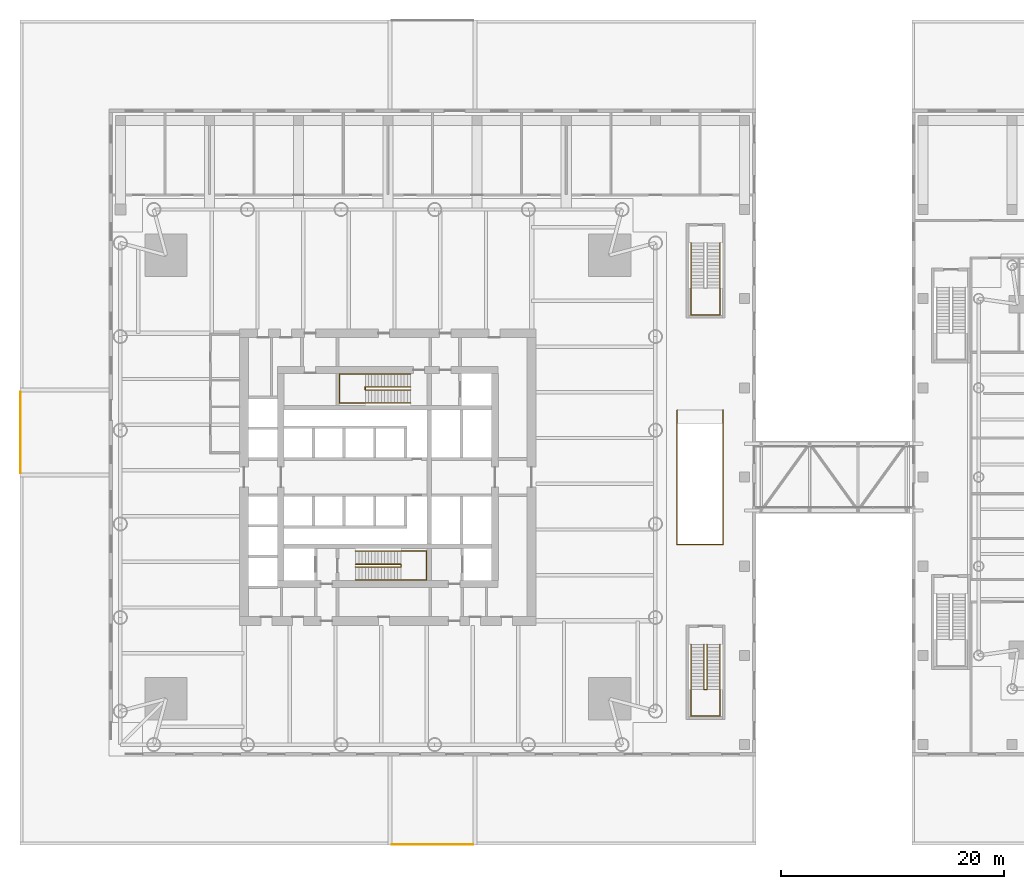
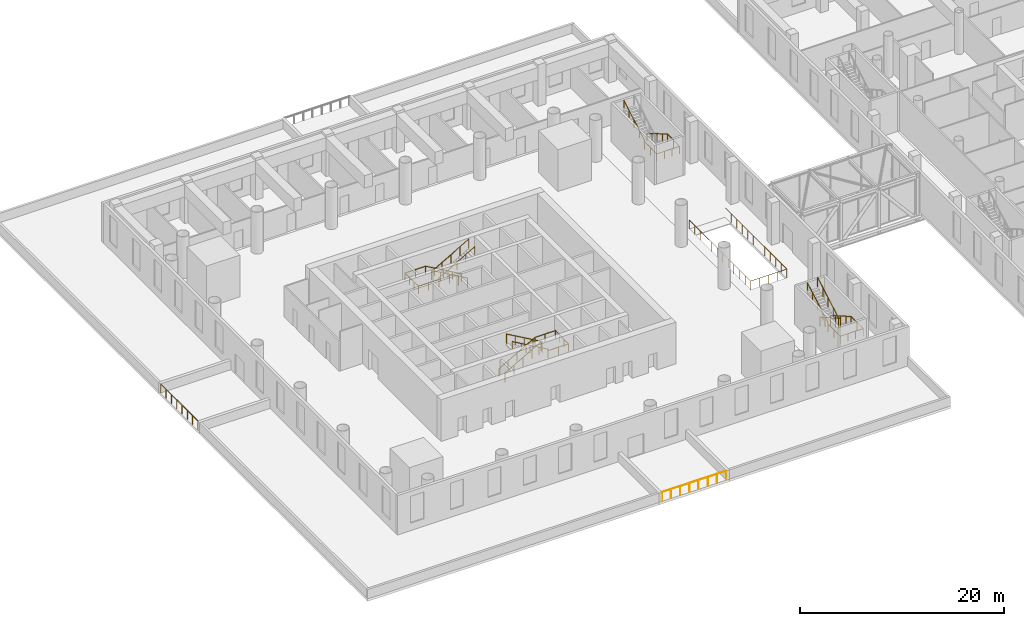
# One storey, part 21 of 23: 10 railings.
"""IFC4 building model written with IfcOpenShell, lengths in metres."""

from ifc_helpers import new_model, si_unit, direction, frame, origin, origin_2d, place, context, subcontext, project, spatial, circle, extrude, material, type_object, element, save


model = new_model("IFC4")

# Units and contexts
model_context = context("Model", 3, precision=1e-05, world=origin(), true_north=direction((0.0, 1.0)))
body_context = subcontext(model_context, "Body", "Model", "MODEL_VIEW")
ifc_project = project(units=[si_unit("LENGTHUNIT", "METRE"), si_unit("AREAUNIT", "SQUARE_METRE"), si_unit("VOLUMEUNIT", "CUBIC_METRE"), si_unit("PLANEANGLEUNIT", "RADIAN"), si_unit("MASSUNIT", "GRAM", prefix="KILO")], contexts=[model_context])

# Site, building, storey
site_placement = place(None, origin())
site = spatial("IfcSite", under=ifc_project, at=site_placement, CompositionType="ELEMENT")
building_placement = place(site_placement, origin())
building = spatial("IfcBuilding", under=site, at=building_placement, Name="Ostroluk Exchange", CompositionType="ELEMENT")
storey_placement = place(building_placement, frame((0.0, 0.0, 11.0)))
storey = spatial("IfcBuildingStorey", under=building, at=storey_placement, Name="L02", CompositionType="ELEMENT", Elevation=11.0)

# Railings
ifc_material_1 = material(Name="Laminated glass", Category="glass")
railing_type_1 = type_object("IfcRailingType", Name="Glass balustrade guard 1100", PredefinedType="BALUSTRADE", material=ifc_material_1)
railing_1_placement = place(storey_placement, frame((70.949951171875, 52.0, 0.0)))
element("IfcRailing", 1, at=railing_1_placement, inside=storey, type_object=railing_type_1, Name="Escalator ES3 opening guard", PredefinedType="BALUSTRADE", context=body_context, shape_type="SweptSolid", body=[
    extrude(circle(Radius=0.02392578125, at=origin_2d()), frame((0.0, 0.0, 1.076171875), z_axis=(0.0, -1.0, 0.0), x_axis=(1.0, 0.0, 0.0)), (0.0, 0.0, 1.0), 12.050048828125),
    extrude(circle(Radius=0.02392578125, at=origin_2d()), frame((0.0, -12.050048828125, 1.076171875), z_axis=(1.0, 0.0, 0.0), x_axis=(0.0, 1.0, 0.0)), (0.0, 0.0, 1.0), 4.10009765625),
    extrude(circle(Radius=0.02392578125, at=origin_2d()), frame((4.10009765625, -12.050048828125, 1.076171875), z_axis=(0.0, 1.0, 0.0), x_axis=(-1.0, 0.0, 0.0)), (0.0, 0.0, 1.0), 12.050048828125),
    extrude(circle(Radius=0.02099609375, at=origin_2d()), origin(), (0.0, 0.0, 1.0), 1.052001953125),
    extrude(circle(Radius=0.02099609375, at=origin_2d()), frame((0.0, -1.095458984375, 0.0)), (0.0, 0.0, 1.0), 1.052001953125),
    extrude(circle(Radius=0.02099609375, at=origin_2d()), frame((0.0, -2.19091796875, 0.0)), (0.0, 0.0, 1.0), 1.052001953125),
    extrude(circle(Radius=0.02099609375, at=origin_2d()), frame((0.0, -3.286376953125, 0.0)), (0.0, 0.0, 1.0), 1.052001953125),
    extrude(circle(Radius=0.02099609375, at=origin_2d()), frame((0.0, -4.3818359375, 0.0)), (0.0, 0.0, 1.0), 1.052001953125),
    extrude(circle(Radius=0.02099609375, at=origin_2d()), frame((0.0, -5.477294921875, 0.0)), (0.0, 0.0, 1.0), 1.052001953125),
    extrude(circle(Radius=0.02099609375, at=origin_2d()), frame((0.0, -6.57275390625, 0.0)), (0.0, 0.0, 1.0), 1.052001953125),
    extrude(circle(Radius=0.02099609375, at=origin_2d()), frame((0.0, -7.668212890625, 0.0)), (0.0, 0.0, 1.0), 1.052001953125),
    extrude(circle(Radius=0.02099609375, at=origin_2d()), frame((0.0, -8.763671875, 0.0)), (0.0, 0.0, 1.0), 1.052001953125),
    extrude(circle(Radius=0.02099609375, at=origin_2d()), frame((0.0, -9.859130859375, 0.0)), (0.0, 0.0, 1.0), 1.052001953125),
    extrude(circle(Radius=0.02099609375, at=origin_2d()), frame((0.0, -10.95458984375, 0.0)), (0.0, 0.0, 1.0), 1.052001953125),
    extrude(circle(Radius=0.02099609375, at=origin_2d()), frame((0.0, -12.050048828125, 0.0)), (0.0, 0.0, 1.0), 1.052001953125),
    extrude(circle(Radius=0.02099609375, at=origin_2d()), frame((1.02490234375, -12.050048828125, 0.0)), (0.0, 0.0, 1.0), 1.052001953125),
    extrude(circle(Radius=0.02099609375, at=origin_2d()), frame((2.050048828125, -12.050048828125, 0.0)), (0.0, 0.0, 1.0), 1.052001953125),
    extrude(circle(Radius=0.02099609375, at=origin_2d()), frame((3.0751953125, -12.050048828125, 0.0)), (0.0, 0.0, 1.0), 1.052001953125),
    extrude(circle(Radius=0.02099609375, at=origin_2d()), frame((4.10009765625, -12.050048828125, 0.0)), (0.0, 0.0, 1.0), 1.052001953125),
    extrude(circle(Radius=0.02099609375, at=origin_2d()), frame((4.10009765625, -10.95458984375, 0.0)), (0.0, 0.0, 1.0), 1.052001953125),
    extrude(circle(Radius=0.02099609375, at=origin_2d()), frame((4.10009765625, -9.859130859375, 0.0)), (0.0, 0.0, 1.0), 1.052001953125),
    extrude(circle(Radius=0.02099609375, at=origin_2d()), frame((4.10009765625, -8.763671875, 0.0)), (0.0, 0.0, 1.0), 1.052001953125),
    extrude(circle(Radius=0.02099609375, at=origin_2d()), frame((4.10009765625, -7.668212890625, 0.0)), (0.0, 0.0, 1.0), 1.052001953125),
    extrude(circle(Radius=0.02099609375, at=origin_2d()), frame((4.10009765625, -6.57275390625, 0.0)), (0.0, 0.0, 1.0), 1.052001953125),
    extrude(circle(Radius=0.02099609375, at=origin_2d()), frame((4.10009765625, -5.477294921875, 0.0)), (0.0, 0.0, 1.0), 1.052001953125),
    extrude(circle(Radius=0.02099609375, at=origin_2d()), frame((4.10009765625, -4.3818359375, 0.0)), (0.0, 0.0, 1.0), 1.052001953125),
    extrude(circle(Radius=0.02099609375, at=origin_2d()), frame((4.10009765625, -3.286376953125, 0.0)), (0.0, 0.0, 1.0), 1.052001953125),
    extrude(circle(Radius=0.02099609375, at=origin_2d()), frame((4.10009765625, -2.19091796875, 0.0)), (0.0, 0.0, 1.0), 1.052001953125),
    extrude(circle(Radius=0.02099609375, at=origin_2d()), frame((4.10009765625, -1.095458984375, 0.0)), (0.0, 0.0, 1.0), 1.052001953125),
    extrude(circle(Radius=0.02099609375, at=origin_2d()), frame((4.10009765625, 0.0, 0.0)), (0.0, 0.0, 1.0), 1.052001953125),
])
ifc_material_2 = material(Name="Stainless steel", Category="steel")
railing_type_2 = type_object("IfcRailingType", Name="Guard 1100 stainless steel", PredefinedType="GUARDRAIL", material=ifc_material_2)
railing_2_placement = place(storey_placement, frame((12.050048828125, 46.35205078125, 0.0)))
element("IfcRailing", 2, at=railing_2_placement, inside=storey, type_object=railing_type_2, Name="Terrace guard L02 1.1", PredefinedType="GUARDRAIL", context=body_context, shape_type="SweptSolid", body=[
    extrude(circle(Radius=0.02392578125, at=origin_2d()), frame((0.0, 0.0, 1.076171875), z_axis=(0.0, 1.0, 0.0), x_axis=(-1.0, 0.0, 0.0)), (0.0, 0.0, 1.0), 7.2958984375),
    extrude(circle(Radius=0.02099609375, at=origin_2d()), origin(), (0.0, 0.0, 1.0), 1.052001953125),
    extrude(circle(Radius=0.02099609375, at=origin_2d()), frame((0.0, 1.042236328125, 0.0)), (0.0, 0.0, 1.0), 1.052001953125),
    extrude(circle(Radius=0.02099609375, at=origin_2d()), frame((0.0, 2.08447265625, 0.0)), (0.0, 0.0, 1.0), 1.052001953125),
    extrude(circle(Radius=0.02099609375, at=origin_2d()), frame((0.0, 3.126708984375, 0.0)), (0.0, 0.0, 1.0), 1.052001953125),
    extrude(circle(Radius=0.02099609375, at=origin_2d()), frame((0.0, 4.169189453125, 0.0)), (0.0, 0.0, 1.0), 1.052001953125),
    extrude(circle(Radius=0.02099609375, at=origin_2d()), frame((0.0, 5.21142578125, 0.0)), (0.0, 0.0, 1.0), 1.052001953125),
    extrude(circle(Radius=0.02099609375, at=origin_2d()), frame((0.0, 6.253662109375, 0.0)), (0.0, 0.0, 1.0), 1.052001953125),
    extrude(circle(Radius=0.02099609375, at=origin_2d()), frame((0.0, 7.2958984375, 0.0)), (0.0, 0.0, 1.0), 1.052001953125),
])
railing_3_placement = place(storey_placement, frame((52.64794921875, 13.050048828125, 0.0)))
element("IfcRailing", 3, at=railing_3_placement, inside=storey, type_object=railing_type_2, Name="Terrace guard L02 1.1", PredefinedType="GUARDRAIL", context=body_context, shape_type="SweptSolid", body=[
    extrude(circle(Radius=0.02392578125, at=origin_2d()), frame((0.0, 0.0, 1.076171875), z_axis=(-1.0, 0.0, 0.0), x_axis=(0.0, -1.0, 0.0)), (0.0, 0.0, 1.0), 7.2958984375),
    extrude(circle(Radius=0.02099609375, at=origin_2d()), origin(), (0.0, 0.0, 1.0), 1.052001953125),
    extrude(circle(Radius=0.02099609375, at=origin_2d()), frame((-1.042236328125, 0.0, 0.0)), (0.0, 0.0, 1.0), 1.052001953125),
    extrude(circle(Radius=0.02099609375, at=origin_2d()), frame((-2.08447265625, 0.0, 0.0)), (0.0, 0.0, 1.0), 1.052001953125),
    extrude(circle(Radius=0.02099609375, at=origin_2d()), frame((-3.126708984375, 0.0, 0.0)), (0.0, 0.0, 1.0), 1.052001953125),
    extrude(circle(Radius=0.02099609375, at=origin_2d()), frame((-4.169189453125, 0.0, 0.0)), (0.0, 0.0, 1.0), 1.052001953125),
    extrude(circle(Radius=0.02099609375, at=origin_2d()), frame((-5.21142578125, 0.0, 0.0)), (0.0, 0.0, 1.0), 1.052001953125),
    extrude(circle(Radius=0.02099609375, at=origin_2d()), frame((-6.253662109375, 0.0, 0.0)), (0.0, 0.0, 1.0), 1.052001953125),
    extrude(circle(Radius=0.02099609375, at=origin_2d()), frame((-7.2958984375, 0.0, 0.0)), (0.0, 0.0, 1.0), 1.052001953125),
])
ifc_material_3 = material(Name="Steel S355", Category="steel")
railing_type_3 = type_object("IfcRailingType", Name="Stair guard 1100", PredefinedType="GUARDRAIL", material=ifc_material_3)
railing_4_placement = place(storey_placement, frame((42.10009765625, 38.179931640625, 0.166748046875)))
element("IfcRailing", 4, at=railing_4_placement, inside=storey, type_object=railing_type_3, Name="Stair T1-S1 guard L02", PredefinedType="GUARDRAIL", context=body_context, shape_type="SweptSolid", body=[
    extrude(circle(Radius=0.02392578125, at=origin_2d()), frame((0.0, 0.0, 1.076171875), z_axis=(0.86701161382, 0.0, 0.498287930319), x_axis=(0.0, 1.0, 0.0)), (0.0, 0.0, 1.0), 4.6826171875),
    extrude(circle(Radius=0.02392578125, at=origin_2d()), frame((4.059814453125, 0.0, 3.4091796875), z_axis=(0.0, -1.0, 0.0), x_axis=(1.0, 0.0, 0.0)), (0.0, 0.0, 1.0), 0.260009765625),
    extrude(circle(Radius=0.02392578125, at=origin_2d()), frame((4.059814453125, -0.260009765625, 3.4091796875), z_axis=(0.0, 0.0, 1.0), x_axis=(1.0, 0.0, 0.0)), (0.0, 0.0, 1.0), 0.166748046875),
    extrude(circle(Radius=0.02392578125, at=origin_2d()), frame((4.059814453125, -0.260009765625, 3.576171875), z_axis=(-0.86701161382, 0.0, 0.498287930319), x_axis=(0.0, -1.0, 0.0)), (0.0, 0.0, 1.0), 4.6826171875),
    extrude(circle(Radius=0.02099609375, at=origin_2d()), origin(), (0.0, 0.0, 1.0), 1.052001953125),
    extrude(circle(Radius=0.02099609375, at=origin_2d()), frame((1.014892578125, 0.0, 0.583251953125)), (0.0, 0.0, 1.0), 1.052001953125),
    extrude(circle(Radius=0.02099609375, at=origin_2d()), frame((2.02978515625, 0.0, 1.16650390625)), (0.0, 0.0, 1.0), 1.052001953125),
    extrude(circle(Radius=0.02099609375, at=origin_2d()), frame((3.044921875, 0.0, 1.75)), (0.0, 0.0, 1.0), 1.052001953125),
    extrude(circle(Radius=0.02099609375, at=origin_2d()), frame((4.059814453125, 0.0, 2.333251953125)), (0.0, 0.0, 1.0), 1.052001953125),
    extrude(circle(Radius=0.02099609375, at=origin_2d()), frame((4.059814453125, -0.260009765625, 2.333251953125)), (0.0, 0.0, 1.0), 1.052001953125),
    extrude(circle(Radius=0.02099609375, at=origin_2d()), frame((4.059814453125, -0.260009765625, 2.5)), (0.0, 0.0, 1.0), 1.052001953125),
    extrude(circle(Radius=0.02099609375, at=origin_2d()), frame((3.044921875, -0.260009765625, 3.083251953125)), (0.0, 0.0, 1.0), 1.052001953125),
    extrude(circle(Radius=0.02099609375, at=origin_2d()), frame((2.02978515625, -0.260009765625, 3.66650390625)), (0.0, 0.0, 1.0), 1.052001953125),
    extrude(circle(Radius=0.02099609375, at=origin_2d()), frame((1.014892578125, -0.260009765625, 4.25)), (0.0, 0.0, 1.0), 1.052001953125),
    extrude(circle(Radius=0.02099609375, at=origin_2d()), frame((0.0, -0.260009765625, 4.833251953125)), (0.0, 0.0, 1.0), 1.052001953125),
])
railing_5_placement = place(storey_placement, frame((47.030029296875, 54.080078125, 0.166748046875)))
element("IfcRailing", 5, at=railing_5_placement, inside=storey, type_object=railing_type_3, Name="Stair T1-S2 guard L02", PredefinedType="GUARDRAIL", context=body_context, shape_type="SweptSolid", body=[
    extrude(circle(Radius=0.02392578125, at=origin_2d()), frame((0.0, 0.0, 1.076171875), z_axis=(-0.867024558463, 0.0, 0.498265406207), x_axis=(0.0, -1.0, 0.0)), (0.0, 0.0, 1.0), 4.682861328125),
    extrude(circle(Radius=0.02392578125, at=origin_2d()), frame((-4.06005859375, 0.0, 3.4091796875), z_axis=(0.0, -1.0, 0.0), x_axis=(1.0, 0.0, 0.0)), (0.0, 0.0, 1.0), 0.260009765625),
    extrude(circle(Radius=0.02392578125, at=origin_2d()), frame((-4.06005859375, -0.260009765625, 3.4091796875), z_axis=(0.0, 0.0, 1.0), x_axis=(1.0, 0.0, 0.0)), (0.0, 0.0, 1.0), 0.166748046875),
    extrude(circle(Radius=0.02392578125, at=origin_2d()), frame((-4.06005859375, -0.260009765625, 3.576171875), z_axis=(0.867024558463, 0.0, 0.498265406207), x_axis=(0.0, 1.0, 0.0)), (0.0, 0.0, 1.0), 4.682861328125),
    extrude(circle(Radius=0.02099609375, at=origin_2d()), origin(), (0.0, 0.0, 1.0), 1.052001953125),
    extrude(circle(Radius=0.02099609375, at=origin_2d()), frame((-1.01513671875, 0.0, 0.583251953125)), (0.0, 0.0, 1.0), 1.052001953125),
    extrude(circle(Radius=0.02099609375, at=origin_2d()), frame((-2.030029296875, 0.0, 1.16650390625)), (0.0, 0.0, 1.0), 1.052001953125),
    extrude(circle(Radius=0.02099609375, at=origin_2d()), frame((-3.044921875, 0.0, 1.75)), (0.0, 0.0, 1.0), 1.052001953125),
    extrude(circle(Radius=0.02099609375, at=origin_2d()), frame((-4.06005859375, 0.0, 2.333251953125)), (0.0, 0.0, 1.0), 1.052001953125),
    extrude(circle(Radius=0.02099609375, at=origin_2d()), frame((-4.06005859375, -0.260009765625, 2.333251953125)), (0.0, 0.0, 1.0), 1.052001953125),
    extrude(circle(Radius=0.02099609375, at=origin_2d()), frame((-4.06005859375, -0.260009765625, 2.5)), (0.0, 0.0, 1.0), 1.052001953125),
    extrude(circle(Radius=0.02099609375, at=origin_2d()), frame((-3.044921875, -0.260009765625, 3.083251953125)), (0.0, 0.0, 1.0), 1.052001953125),
    extrude(circle(Radius=0.02099609375, at=origin_2d()), frame((-2.030029296875, -0.260009765625, 3.66650390625)), (0.0, 0.0, 1.0), 1.052001953125),
    extrude(circle(Radius=0.02099609375, at=origin_2d()), frame((-1.01513671875, -0.260009765625, 4.25)), (0.0, 0.0, 1.0), 1.052001953125),
    extrude(circle(Radius=0.02099609375, at=origin_2d()), frame((0.0, -0.260009765625, 4.833251953125)), (0.0, 0.0, 1.0), 1.052001953125),
])
railing_6_placement = place(storey_placement, frame((73.6298828125, 31.0, 0.166748046875)))
element("IfcRailing", 6, at=railing_6_placement, inside=storey, type_object=railing_type_3, Name="Stair PS3 guard L02", PredefinedType="GUARDRAIL", context=body_context, shape_type="SweptSolid", body=[
    extrude(circle(Radius=0.02392578125, at=origin_2d()), frame((0.0, 0.0, 1.076171875), z_axis=(0.0, -0.867024558463, 0.498265406207), x_axis=(1.0, 0.0, 0.0)), (0.0, 0.0, 1.0), 4.682861328125),
    extrude(circle(Radius=0.02392578125, at=origin_2d()), frame((0.0, -4.06005859375, 3.4091796875), z_axis=(-1.0, 0.0, 0.0), x_axis=(0.0, -1.0, 0.0)), (0.0, 0.0, 1.0), 0.259765625),
    extrude(circle(Radius=0.02392578125, at=origin_2d()), frame((-0.259765625, -4.06005859375, 3.4091796875), z_axis=(0.0, 0.0, 1.0), x_axis=(1.0, 0.0, 0.0)), (0.0, 0.0, 1.0), 0.166748046875),
    extrude(circle(Radius=0.02392578125, at=origin_2d()), frame((-0.259765625, -4.06005859375, 3.576171875), z_axis=(0.0, 0.867024558463, 0.498265406207), x_axis=(-1.0, 0.0, 0.0)), (0.0, 0.0, 1.0), 4.682861328125),
    extrude(circle(Radius=0.02099609375, at=origin_2d()), origin(), (0.0, 0.0, 1.0), 1.052001953125),
    extrude(circle(Radius=0.02099609375, at=origin_2d()), frame((0.0, -1.01513671875, 0.583251953125)), (0.0, 0.0, 1.0), 1.052001953125),
    extrude(circle(Radius=0.02099609375, at=origin_2d()), frame((0.0, -2.030029296875, 1.16650390625)), (0.0, 0.0, 1.0), 1.052001953125),
    extrude(circle(Radius=0.02099609375, at=origin_2d()), frame((0.0, -3.044921875, 1.75)), (0.0, 0.0, 1.0), 1.052001953125),
    extrude(circle(Radius=0.02099609375, at=origin_2d()), frame((0.0, -4.06005859375, 2.333251953125)), (0.0, 0.0, 1.0), 1.052001953125),
    extrude(circle(Radius=0.02099609375, at=origin_2d()), frame((-0.259765625, -4.06005859375, 2.333251953125)), (0.0, 0.0, 1.0), 1.052001953125),
    extrude(circle(Radius=0.02099609375, at=origin_2d()), frame((-0.259765625, -4.06005859375, 2.5)), (0.0, 0.0, 1.0), 1.052001953125),
    extrude(circle(Radius=0.02099609375, at=origin_2d()), frame((-0.259765625, -3.044921875, 3.083251953125)), (0.0, 0.0, 1.0), 1.052001953125),
    extrude(circle(Radius=0.02099609375, at=origin_2d()), frame((-0.259765625, -2.030029296875, 3.66650390625)), (0.0, 0.0, 1.0), 1.052001953125),
    extrude(circle(Radius=0.02099609375, at=origin_2d()), frame((-0.259765625, -1.01513671875, 4.25)), (0.0, 0.0, 1.0), 1.052001953125),
    extrude(circle(Radius=0.02099609375, at=origin_2d()), frame((-0.259765625, 0.0, 4.833251953125)), (0.0, 0.0, 1.0), 1.052001953125),
])
ifc_material_4 = material(Name="Stainless steel", Category="steel")
railing_type_4 = type_object("IfcRailingType", Name="Stair handrail 900", PredefinedType="HANDRAIL", material=ifc_material_4)
railing_7_placement = place(storey_placement, frame((42.10009765625, 39.35009765625, 0.166748046875)))
element("IfcRailing", 7, at=railing_7_placement, inside=storey, type_object=railing_type_4, Name="Stair T1-S1 handrail L02", PredefinedType="HANDRAIL", context=body_context, shape_type="SweptSolid", body=[
    extrude(circle(Radius=0.02392578125, at=origin_2d()), frame((0.0, 0.0, 0.8759765625), z_axis=(0.86701161382, 0.0, 0.498287930319), x_axis=(0.0, 1.0, 0.0)), (0.0, 0.0, 1.0), 4.6826171875),
    extrude(circle(Radius=0.02392578125, at=origin_2d()), frame((4.059814453125, 0.0, 3.208984375), z_axis=(1.0, 0.0, 0.0), x_axis=(0.0, 1.0, 0.0)), (0.0, 0.0, 1.0), 2.320068359375),
    extrude(circle(Radius=0.02392578125, at=origin_2d()), frame((6.3798828125, 0.0, 3.208984375), z_axis=(0.0, -1.0, 0.0), x_axis=(1.0, 0.0, 0.0)), (0.0, 0.0, 1.0), 2.60009765625),
    extrude(circle(Radius=0.02392578125, at=origin_2d()), frame((6.3798828125, -2.60009765625, 3.208984375), z_axis=(-1.0, 0.0, 0.0), x_axis=(0.0, -1.0, 0.0)), (0.0, 0.0, 1.0), 2.320068359375),
    extrude(circle(Radius=0.02392578125, at=origin_2d()), frame((4.059814453125, -2.60009765625, 3.208984375), z_axis=(0.0, 0.0, 1.0), x_axis=(1.0, 0.0, 0.0)), (0.0, 0.0, 1.0), 0.166748046875),
    extrude(circle(Radius=0.02392578125, at=origin_2d()), frame((4.059814453125, -2.60009765625, 3.3759765625), z_axis=(-0.86701161382, 0.0, 0.498287930319), x_axis=(0.0, -1.0, 0.0)), (0.0, 0.0, 1.0), 4.6826171875),
    extrude(circle(Radius=0.02099609375, at=origin_2d()), origin(), (0.0, 0.0, 1.0), 0.851806640625),
    extrude(circle(Radius=0.02099609375, at=origin_2d()), frame((1.014892578125, 0.0, 0.583251953125)), (0.0, 0.0, 1.0), 0.851806640625),
    extrude(circle(Radius=0.02099609375, at=origin_2d()), frame((2.02978515625, 0.0, 1.16650390625)), (0.0, 0.0, 1.0), 0.851806640625),
    extrude(circle(Radius=0.02099609375, at=origin_2d()), frame((3.044921875, 0.0, 1.75)), (0.0, 0.0, 1.0), 0.851806640625),
    extrude(circle(Radius=0.02099609375, at=origin_2d()), frame((4.059814453125, 0.0, 2.333251953125)), (0.0, 0.0, 1.0), 0.851806640625),
    extrude(circle(Radius=0.02099609375, at=origin_2d()), frame((5.2197265625, 0.0, 2.333251953125)), (0.0, 0.0, 1.0), 0.851806640625),
    extrude(circle(Radius=0.02099609375, at=origin_2d()), frame((6.3798828125, 0.0, 2.333251953125)), (0.0, 0.0, 1.0), 0.851806640625),
    extrude(circle(Radius=0.02099609375, at=origin_2d()), frame((6.3798828125, -0.86669921875, 2.333251953125)), (0.0, 0.0, 1.0), 0.851806640625),
    extrude(circle(Radius=0.02099609375, at=origin_2d()), frame((6.3798828125, -1.7333984375, 2.333251953125)), (0.0, 0.0, 1.0), 0.851806640625),
    extrude(circle(Radius=0.02099609375, at=origin_2d()), frame((6.3798828125, -2.60009765625, 2.333251953125)), (0.0, 0.0, 1.0), 0.851806640625),
    extrude(circle(Radius=0.02099609375, at=origin_2d()), frame((5.2197265625, -2.60009765625, 2.333251953125)), (0.0, 0.0, 1.0), 0.851806640625),
    extrude(circle(Radius=0.02099609375, at=origin_2d()), frame((4.059814453125, -2.60009765625, 2.333251953125)), (0.0, 0.0, 1.0), 0.851806640625),
    extrude(circle(Radius=0.02099609375, at=origin_2d()), frame((4.059814453125, -2.60009765625, 2.5)), (0.0, 0.0, 1.0), 0.851806640625),
    extrude(circle(Radius=0.02099609375, at=origin_2d()), frame((3.044921875, -2.60009765625, 3.083251953125)), (0.0, 0.0, 1.0), 0.851806640625),
    extrude(circle(Radius=0.02099609375, at=origin_2d()), frame((2.02978515625, -2.60009765625, 3.66650390625)), (0.0, 0.0, 1.0), 0.851806640625),
    extrude(circle(Radius=0.02099609375, at=origin_2d()), frame((1.014892578125, -2.60009765625, 4.25)), (0.0, 0.0, 1.0), 0.851806640625),
    extrude(circle(Radius=0.02099609375, at=origin_2d()), frame((0.0, -2.60009765625, 4.833251953125)), (0.0, 0.0, 1.0), 0.851806640625),
])
railing_8_placement = place(storey_placement, frame((47.030029296875, 55.25, 0.166748046875)))
element("IfcRailing", 8, at=railing_8_placement, inside=storey, type_object=railing_type_4, Name="Stair T1-S2 handrail L02", PredefinedType="HANDRAIL", context=body_context, shape_type="SweptSolid", body=[
    extrude(circle(Radius=0.02392578125, at=origin_2d()), frame((0.0, 0.0, 0.8759765625), z_axis=(-0.867024558463, 0.0, 0.498265406207), x_axis=(0.0, -1.0, 0.0)), (0.0, 0.0, 1.0), 4.682861328125),
    extrude(circle(Radius=0.02392578125, at=origin_2d()), frame((-4.06005859375, 0.0, 3.208984375), z_axis=(-1.0, 0.0, 0.0), x_axis=(0.0, -1.0, 0.0)), (0.0, 0.0, 1.0), 2.320068359375),
    extrude(circle(Radius=0.02392578125, at=origin_2d()), frame((-6.380126953125, 0.0, 3.208984375), z_axis=(0.0, -1.0, 0.0), x_axis=(1.0, 0.0, 0.0)), (0.0, 0.0, 1.0), 2.60009765625),
    extrude(circle(Radius=0.02392578125, at=origin_2d()), frame((-6.380126953125, -2.60009765625, 3.208984375), z_axis=(1.0, 0.0, 0.0), x_axis=(0.0, 1.0, 0.0)), (0.0, 0.0, 1.0), 2.320068359375),
    extrude(circle(Radius=0.02392578125, at=origin_2d()), frame((-4.06005859375, -2.60009765625, 3.208984375), z_axis=(0.0, 0.0, 1.0), x_axis=(1.0, 0.0, 0.0)), (0.0, 0.0, 1.0), 0.166748046875),
    extrude(circle(Radius=0.02392578125, at=origin_2d()), frame((-4.06005859375, -2.60009765625, 3.3759765625), z_axis=(0.867024558463, 0.0, 0.498265406207), x_axis=(0.0, 1.0, 0.0)), (0.0, 0.0, 1.0), 4.682861328125),
    extrude(circle(Radius=0.02099609375, at=origin_2d()), origin(), (0.0, 0.0, 1.0), 0.851806640625),
    extrude(circle(Radius=0.02099609375, at=origin_2d()), frame((-1.01513671875, 0.0, 0.583251953125)), (0.0, 0.0, 1.0), 0.851806640625),
    extrude(circle(Radius=0.02099609375, at=origin_2d()), frame((-2.030029296875, 0.0, 1.16650390625)), (0.0, 0.0, 1.0), 0.851806640625),
    extrude(circle(Radius=0.02099609375, at=origin_2d()), frame((-3.044921875, 0.0, 1.75)), (0.0, 0.0, 1.0), 0.851806640625),
    extrude(circle(Radius=0.02099609375, at=origin_2d()), frame((-4.06005859375, 0.0, 2.333251953125)), (0.0, 0.0, 1.0), 0.851806640625),
    extrude(circle(Radius=0.02099609375, at=origin_2d()), frame((-5.22021484375, 0.0, 2.333251953125)), (0.0, 0.0, 1.0), 0.851806640625),
    extrude(circle(Radius=0.02099609375, at=origin_2d()), frame((-6.380126953125, 0.0, 2.333251953125)), (0.0, 0.0, 1.0), 0.851806640625),
    extrude(circle(Radius=0.02099609375, at=origin_2d()), frame((-6.380126953125, -0.86669921875, 2.333251953125)), (0.0, 0.0, 1.0), 0.851806640625),
    extrude(circle(Radius=0.02099609375, at=origin_2d()), frame((-6.380126953125, -1.7333984375, 2.333251953125)), (0.0, 0.0, 1.0), 0.851806640625),
    extrude(circle(Radius=0.02099609375, at=origin_2d()), frame((-6.380126953125, -2.60009765625, 2.333251953125)), (0.0, 0.0, 1.0), 0.851806640625),
    extrude(circle(Radius=0.02099609375, at=origin_2d()), frame((-5.22021484375, -2.60009765625, 2.333251953125)), (0.0, 0.0, 1.0), 0.851806640625),
    extrude(circle(Radius=0.02099609375, at=origin_2d()), frame((-4.06005859375, -2.60009765625, 2.333251953125)), (0.0, 0.0, 1.0), 0.851806640625),
    extrude(circle(Radius=0.02099609375, at=origin_2d()), frame((-4.06005859375, -2.60009765625, 2.5)), (0.0, 0.0, 1.0), 0.851806640625),
    extrude(circle(Radius=0.02099609375, at=origin_2d()), frame((-3.044921875, -2.60009765625, 3.083251953125)), (0.0, 0.0, 1.0), 0.851806640625),
    extrude(circle(Radius=0.02099609375, at=origin_2d()), frame((-2.030029296875, -2.60009765625, 3.66650390625)), (0.0, 0.0, 1.0), 0.851806640625),
    extrude(circle(Radius=0.02099609375, at=origin_2d()), frame((-1.01513671875, -2.60009765625, 4.25)), (0.0, 0.0, 1.0), 0.851806640625),
    extrude(circle(Radius=0.02099609375, at=origin_2d()), frame((0.0, -2.60009765625, 4.833251953125)), (0.0, 0.0, 1.0), 0.851806640625),
])
railing_9_placement = place(storey_placement, frame((74.800048828125, 31.0, 0.166748046875)))
element("IfcRailing", 9, at=railing_9_placement, inside=storey, type_object=railing_type_4, Name="Stair PS3 handrail L02", PredefinedType="HANDRAIL", context=body_context, shape_type="SweptSolid", body=[
    extrude(circle(Radius=0.02392578125, at=origin_2d()), frame((0.0, 0.0, 0.8759765625), z_axis=(0.0, -0.867024558463, 0.498265406207), x_axis=(1.0, 0.0, 0.0)), (0.0, 0.0, 1.0), 4.682861328125),
    extrude(circle(Radius=0.02392578125, at=origin_2d()), frame((0.0, -4.06005859375, 3.208984375), z_axis=(0.0, -1.0, 0.0), x_axis=(1.0, 0.0, 0.0)), (0.0, 0.0, 1.0), 2.389892578125),
    extrude(circle(Radius=0.02392578125, at=origin_2d()), frame((0.0, -6.449951171875, 3.208984375), z_axis=(-1.0, 0.0, 0.0), x_axis=(0.0, -1.0, 0.0)), (0.0, 0.0, 1.0), 2.60009765625),
    extrude(circle(Radius=0.02392578125, at=origin_2d()), frame((-2.60009765625, -6.449951171875, 3.208984375), z_axis=(0.0, 1.0, 0.0), x_axis=(-1.0, 0.0, 0.0)), (0.0, 0.0, 1.0), 2.389892578125),
    extrude(circle(Radius=0.02392578125, at=origin_2d()), frame((-2.60009765625, -4.06005859375, 3.208984375), z_axis=(0.0, 0.0, 1.0), x_axis=(1.0, 0.0, 0.0)), (0.0, 0.0, 1.0), 0.166748046875),
    extrude(circle(Radius=0.02392578125, at=origin_2d()), frame((-2.60009765625, -4.06005859375, 3.3759765625), z_axis=(0.0, 0.867024558463, 0.498265406207), x_axis=(-1.0, 0.0, 0.0)), (0.0, 0.0, 1.0), 4.682861328125),
    extrude(circle(Radius=0.02099609375, at=origin_2d()), origin(), (0.0, 0.0, 1.0), 0.851806640625),
    extrude(circle(Radius=0.02099609375, at=origin_2d()), frame((0.0, -1.01513671875, 0.583251953125)), (0.0, 0.0, 1.0), 0.851806640625),
    extrude(circle(Radius=0.02099609375, at=origin_2d()), frame((0.0, -2.030029296875, 1.16650390625)), (0.0, 0.0, 1.0), 0.851806640625),
    extrude(circle(Radius=0.02099609375, at=origin_2d()), frame((0.0, -3.044921875, 1.75)), (0.0, 0.0, 1.0), 0.851806640625),
    extrude(circle(Radius=0.02099609375, at=origin_2d()), frame((0.0, -4.06005859375, 2.333251953125)), (0.0, 0.0, 1.0), 0.851806640625),
    extrude(circle(Radius=0.02099609375, at=origin_2d()), frame((0.0, -5.2548828125, 2.333251953125)), (0.0, 0.0, 1.0), 0.851806640625),
    extrude(circle(Radius=0.02099609375, at=origin_2d()), frame((0.0, -6.449951171875, 2.333251953125)), (0.0, 0.0, 1.0), 0.851806640625),
    extrude(circle(Radius=0.02099609375, at=origin_2d()), frame((-0.86669921875, -6.449951171875, 2.333251953125)), (0.0, 0.0, 1.0), 0.851806640625),
    extrude(circle(Radius=0.02099609375, at=origin_2d()), frame((-1.7333984375, -6.449951171875, 2.333251953125)), (0.0, 0.0, 1.0), 0.851806640625),
    extrude(circle(Radius=0.02099609375, at=origin_2d()), frame((-2.60009765625, -6.449951171875, 2.333251953125)), (0.0, 0.0, 1.0), 0.851806640625),
    extrude(circle(Radius=0.02099609375, at=origin_2d()), frame((-2.60009765625, -5.2548828125, 2.333251953125)), (0.0, 0.0, 1.0), 0.851806640625),
    extrude(circle(Radius=0.02099609375, at=origin_2d()), frame((-2.60009765625, -4.06005859375, 2.333251953125)), (0.0, 0.0, 1.0), 0.851806640625),
    extrude(circle(Radius=0.02099609375, at=origin_2d()), frame((-2.60009765625, -4.06005859375, 2.5)), (0.0, 0.0, 1.0), 0.851806640625),
    extrude(circle(Radius=0.02099609375, at=origin_2d()), frame((-2.60009765625, -3.044921875, 3.083251953125)), (0.0, 0.0, 1.0), 0.851806640625),
    extrude(circle(Radius=0.02099609375, at=origin_2d()), frame((-2.60009765625, -2.030029296875, 3.66650390625)), (0.0, 0.0, 1.0), 0.851806640625),
    extrude(circle(Radius=0.02099609375, at=origin_2d()), frame((-2.60009765625, -1.01513671875, 4.25)), (0.0, 0.0, 1.0), 0.851806640625),
    extrude(circle(Radius=0.02099609375, at=origin_2d()), frame((-2.60009765625, 0.0, 4.833251953125)), (0.0, 0.0, 1.0), 0.851806640625),
])
railing_10_placement = place(storey_placement, frame((74.800048828125, 67.0, 0.166748046875)))
element("IfcRailing", 10, at=railing_10_placement, inside=storey, type_object=railing_type_4, Name="Stair PS4 handrail L02", PredefinedType="HANDRAIL", context=body_context, shape_type="SweptSolid", body=[
    extrude(circle(Radius=0.02392578125, at=origin_2d()), frame((0.0, 0.0, 0.8759765625), z_axis=(0.0, -0.867024558463, 0.498265406207), x_axis=(1.0, 0.0, 0.0)), (0.0, 0.0, 1.0), 4.682861328125),
    extrude(circle(Radius=0.02392578125, at=origin_2d()), frame((0.0, -4.06005859375, 3.208984375), z_axis=(0.0, -1.0, 0.0), x_axis=(1.0, 0.0, 0.0)), (0.0, 0.0, 1.0), 2.389892578125),
    extrude(circle(Radius=0.02392578125, at=origin_2d()), frame((0.0, -6.449951171875, 3.208984375), z_axis=(-1.0, 0.0, 0.0), x_axis=(0.0, -1.0, 0.0)), (0.0, 0.0, 1.0), 2.60009765625),
    extrude(circle(Radius=0.02392578125, at=origin_2d()), frame((-2.60009765625, -6.449951171875, 3.208984375), z_axis=(0.0, 1.0, 0.0), x_axis=(-1.0, 0.0, 0.0)), (0.0, 0.0, 1.0), 2.389892578125),
    extrude(circle(Radius=0.02392578125, at=origin_2d()), frame((-2.60009765625, -4.06005859375, 3.208984375), z_axis=(0.0, 0.0, 1.0), x_axis=(1.0, 0.0, 0.0)), (0.0, 0.0, 1.0), 0.166748046875),
    extrude(circle(Radius=0.02392578125, at=origin_2d()), frame((-2.60009765625, -4.06005859375, 3.3759765625), z_axis=(0.0, 0.867024558463, 0.498265406207), x_axis=(-1.0, 0.0, 0.0)), (0.0, 0.0, 1.0), 4.682861328125),
    extrude(circle(Radius=0.02099609375, at=origin_2d()), origin(), (0.0, 0.0, 1.0), 0.851806640625),
    extrude(circle(Radius=0.02099609375, at=origin_2d()), frame((0.0, -1.01513671875, 0.583251953125)), (0.0, 0.0, 1.0), 0.851806640625),
    extrude(circle(Radius=0.02099609375, at=origin_2d()), frame((0.0, -2.030029296875, 1.16650390625)), (0.0, 0.0, 1.0), 0.851806640625),
    extrude(circle(Radius=0.02099609375, at=origin_2d()), frame((0.0, -3.044921875, 1.75)), (0.0, 0.0, 1.0), 0.851806640625),
    extrude(circle(Radius=0.02099609375, at=origin_2d()), frame((0.0, -4.06005859375, 2.333251953125)), (0.0, 0.0, 1.0), 0.851806640625),
    extrude(circle(Radius=0.02099609375, at=origin_2d()), frame((0.0, -5.2548828125, 2.333251953125)), (0.0, 0.0, 1.0), 0.851806640625),
    extrude(circle(Radius=0.02099609375, at=origin_2d()), frame((0.0, -6.449951171875, 2.333251953125)), (0.0, 0.0, 1.0), 0.851806640625),
    extrude(circle(Radius=0.02099609375, at=origin_2d()), frame((-0.86669921875, -6.449951171875, 2.333251953125)), (0.0, 0.0, 1.0), 0.851806640625),
    extrude(circle(Radius=0.02099609375, at=origin_2d()), frame((-1.7333984375, -6.449951171875, 2.333251953125)), (0.0, 0.0, 1.0), 0.851806640625),
    extrude(circle(Radius=0.02099609375, at=origin_2d()), frame((-2.60009765625, -6.449951171875, 2.333251953125)), (0.0, 0.0, 1.0), 0.851806640625),
    extrude(circle(Radius=0.02099609375, at=origin_2d()), frame((-2.60009765625, -5.2548828125, 2.333251953125)), (0.0, 0.0, 1.0), 0.851806640625),
    extrude(circle(Radius=0.02099609375, at=origin_2d()), frame((-2.60009765625, -4.06005859375, 2.333251953125)), (0.0, 0.0, 1.0), 0.851806640625),
    extrude(circle(Radius=0.02099609375, at=origin_2d()), frame((-2.60009765625, -4.06005859375, 2.5)), (0.0, 0.0, 1.0), 0.851806640625),
    extrude(circle(Radius=0.02099609375, at=origin_2d()), frame((-2.60009765625, -3.044921875, 3.083251953125)), (0.0, 0.0, 1.0), 0.851806640625),
    extrude(circle(Radius=0.02099609375, at=origin_2d()), frame((-2.60009765625, -2.030029296875, 3.66650390625)), (0.0, 0.0, 1.0), 0.851806640625),
    extrude(circle(Radius=0.02099609375, at=origin_2d()), frame((-2.60009765625, -1.01513671875, 4.25)), (0.0, 0.0, 1.0), 0.851806640625),
    extrude(circle(Radius=0.02099609375, at=origin_2d()), frame((-2.60009765625, 0.0, 4.833251953125)), (0.0, 0.0, 1.0), 0.851806640625),
])

save(model, "model.ifc")
